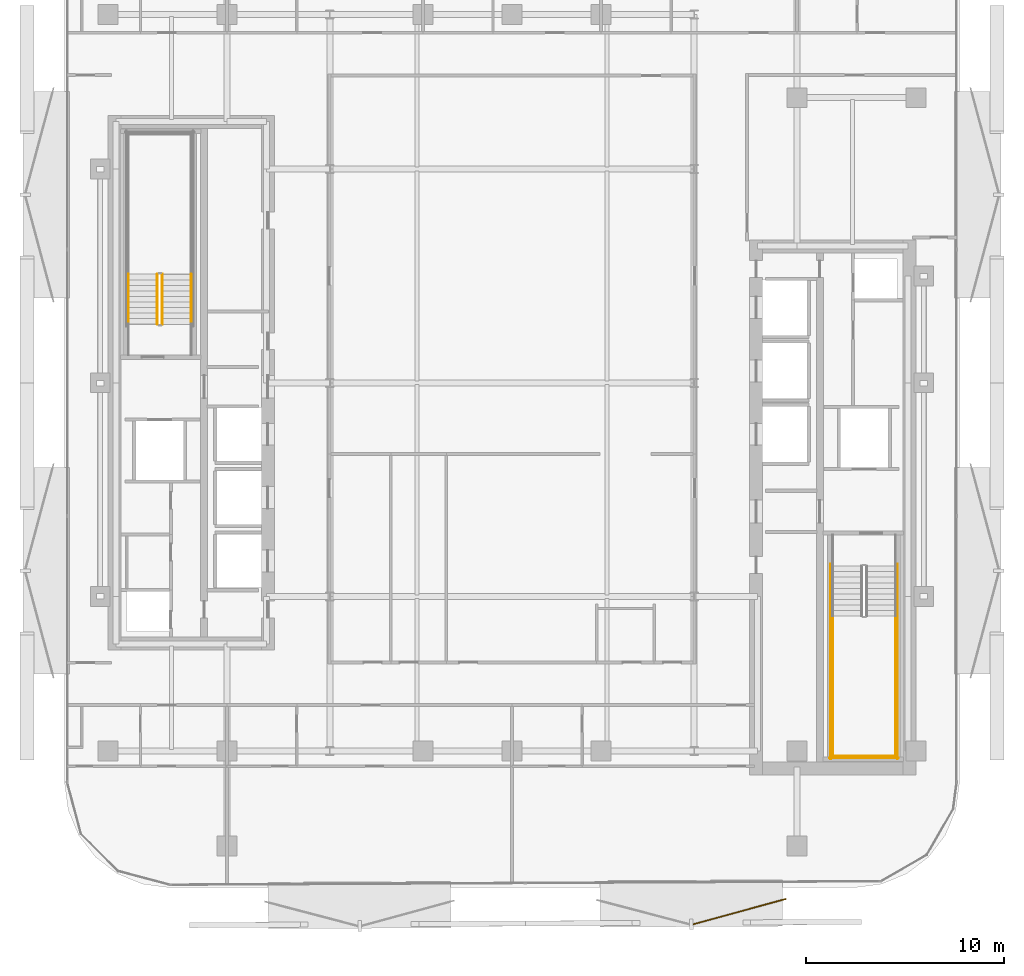
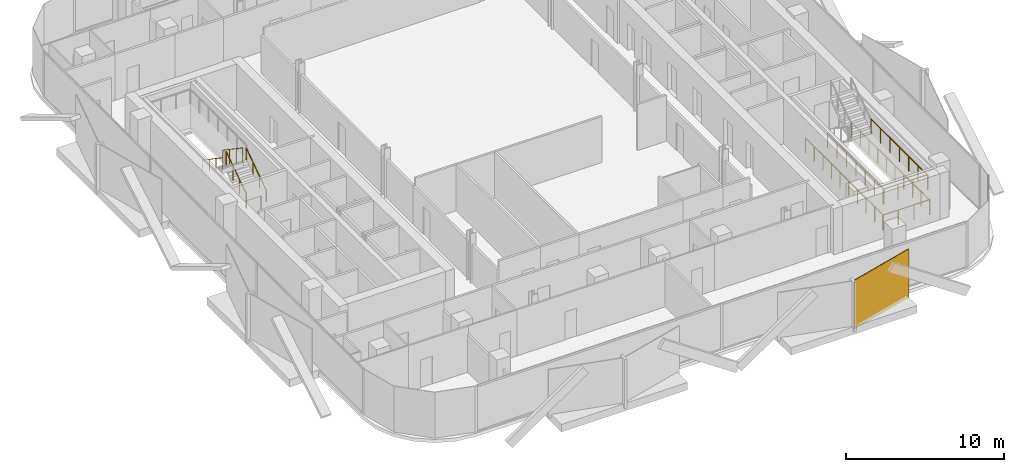
# One storey, part 14 of 17: 10 railings, 1 covering.
"""IFC4 building model written with IfcOpenShell, lengths in metres."""

from ifc_helpers import new_model, si_unit, direction, frame, origin, origin_2d, place, context, subcontext, project, spatial, rectangle, circle, extrude, material, layer, layer_set, type_object, element, save


model = new_model("IFC4")

# Units and contexts
model_context = context("Model", 3, precision=1e-05, world=origin(), true_north=direction((0.0, 1.0)))
body_context = subcontext(model_context, "Body", "Model", "MODEL_VIEW")
ifc_project = project(units=[si_unit("LENGTHUNIT", "METRE"), si_unit("AREAUNIT", "SQUARE_METRE"), si_unit("VOLUMEUNIT", "CUBIC_METRE"), si_unit("PLANEANGLEUNIT", "RADIAN"), si_unit("MASSUNIT", "GRAM", prefix="KILO")], contexts=[model_context])

# Site, building, storey
site_placement = place(None, origin())
site = spatial("IfcSite", under=ifc_project, at=site_placement, CompositionType="ELEMENT")
building_placement = place(site_placement, origin())
building = spatial("IfcBuilding", under=site, at=building_placement, Name="Khairoan Windgate Tower", CompositionType="ELEMENT")
storey_placement = place(building_placement, frame((0.0, 0.0, 172.60009765625)))
storey = spatial("IfcBuildingStorey", under=building, at=storey_placement, Name="L39", CompositionType="ELEMENT", Elevation=172.60009765625)

# Covering
ifc_material_1 = material(Name="Anodised Bronze Aluminium 6063-T6", Category="aluminium")
ifc_layer = layer(ifc_material_1, 0.054931640625, Name="Anodised Bronze Aluminium 6063-T6")
ifc_layer_set = layer_set([ifc_layer], Name="Anodised Bronze Aluminium 6063-T6")
covering_type = type_object("IfcCoveringType", Name="Perforated Bronze-Ceramic Folded Solar Screen Cladding BSC-1", PredefinedType="CLADDING", material=ifc_layer_set)
covering_placement = place(storey_placement, frame((11.498779296875, -26.708984375, -0.10009765625), z_axis=(0.0, 0.0, 1.0), x_axis=(-0.964649468762, -0.263536339841, 0.0)))
element("IfcCovering", 1, at=covering_placement, inside=storey, type_object=covering_type, Name="L39 Folded Bronze Solar Screen Facet 249L", PredefinedType="CLADDING", context=body_context, shape_type="SweptSolid", body=[
    extrude(rectangle(XDim=4.861083984375, YDim=0.054931640625, at=origin_2d()), origin(), (0.0, 0.0, 1.0), 3.739990234375),
])

# Railings
ifc_material_2 = material(Name="Anodised Bronze Aluminium 6063-T6", Category="aluminium")
railing_type_1 = type_object("IfcRailingType", Name="Stair Wall Handrail SHR-900", PredefinedType="HANDRAIL", material=ifc_material_2)
railing_1_placement = place(storey_placement, frame((-16.199951171875, 2.9599609375, 0.18994140625)))
element("IfcRailing", 2, at=railing_1_placement, inside=storey, type_object=railing_type_1, Name="L39 ST2 stair handrail 1", PredefinedType="HANDRAIL", context=body_context, shape_type="SweptSolid", body=[
    extrude(circle(Radius=0.02392578125, at=origin_2d()), frame((0.0, 0.0, 0.8759765625), z_axis=(0.0, 0.827483756001, 0.561489655786), x_axis=(-1.0, 0.0, 0.0)), (0.0, 0.0, 1.0), 3.04541015625),
    extrude(circle(Radius=0.02099609375, at=origin_2d()), origin(), (0.0, 0.0, 1.0), 0.851806640625),
    extrude(circle(Radius=0.02099609375, at=origin_2d()), frame((0.0, 0.840087890625, 0.570068359375)), (0.0, 0.0, 1.0), 0.851806640625),
    extrude(circle(Radius=0.02099609375, at=origin_2d()), frame((0.0, 1.679931640625, 1.139892578125)), (0.0, 0.0, 1.0), 0.851806640625),
    extrude(circle(Radius=0.02099609375, at=origin_2d()), frame((0.0, 2.52001953125, 1.7099609375)), (0.0, 0.0, 1.0), 0.851806640625),
])
railing_2_placement = place(storey_placement, frame((-19.3701171875, 5.47998046875, 2.08984375)))
element("IfcRailing", 3, at=railing_2_placement, inside=storey, type_object=railing_type_1, Name="L39 ST2 stair handrail 2", PredefinedType="HANDRAIL", context=body_context, shape_type="SweptSolid", body=[
    extrude(circle(Radius=0.02392578125, at=origin_2d()), frame((0.0, 0.0, 0.8759765625), z_axis=(0.0, -0.827483756001, 0.561489655786), x_axis=(1.0, 0.0, 0.0)), (0.0, 0.0, 1.0), 3.04541015625),
    extrude(circle(Radius=0.02099609375, at=origin_2d()), origin(), (0.0, 0.0, 1.0), 0.851806640625),
    extrude(circle(Radius=0.02099609375, at=origin_2d()), frame((0.0, -0.840087890625, 0.570068359375)), (0.0, 0.0, 1.0), 0.851806640625),
    extrude(circle(Radius=0.02099609375, at=origin_2d()), frame((0.0, -1.679931640625, 1.139892578125)), (0.0, 0.0, 1.0), 0.851806640625),
    extrude(circle(Radius=0.02099609375, at=origin_2d()), frame((0.0, -2.52001953125, 1.7099609375)), (0.0, 0.0, 1.0), 0.851806640625),
])
ifc_material_3 = material(Name="Steel S355", Category="steel")
railing_type_2 = type_object("IfcRailingType", Name="Stairwell Safety Guardrail SGR-1150", PredefinedType="GUARDRAIL", material=ifc_material_3)
for number, where, name in (
    (4, (16.199951171875, -11.780029296875, 1.89990234375), "L39 ST1 stair guard 3"),
    (5, (19.3701171875, -11.780029296875, 1.89990234375), "L39 ST1 stair guard 4"),
):
    element("IfcRailing", number, at=place(storey_placement, frame(where)), inside=storey, type_object=railing_type_2, Name=name, PredefinedType="GUARDRAIL", context=body_context, shape_type="SweptSolid", body=[
        extrude(circle(Radius=0.02392578125, at=origin_2d()), frame((0.0, 0.0, 1.1259765625), z_axis=(0.0, -1.0, 0.0), x_axis=(1.0, 0.0, 0.0)), (0.0, 0.0, 1.0), 7.119873046875),
        extrude(circle(Radius=0.02099609375, at=origin_2d()), origin(), (0.0, 0.0, 1.0), 1.101806640625),
        extrude(circle(Radius=0.02099609375, at=origin_2d()), frame((0.0, -1.1865234375, 0.0)), (0.0, 0.0, 1.0), 1.101806640625),
        extrude(circle(Radius=0.02099609375, at=origin_2d()), frame((0.0, -2.373291015625, 0.0)), (0.0, 0.0, 1.0), 1.101806640625),
        extrude(circle(Radius=0.02099609375, at=origin_2d()), frame((0.0, -3.56005859375, 0.0)), (0.0, 0.0, 1.0), 1.101806640625),
        extrude(circle(Radius=0.02099609375, at=origin_2d()), frame((0.0, -4.74658203125, 0.0)), (0.0, 0.0, 1.0), 1.101806640625),
        extrude(circle(Radius=0.02099609375, at=origin_2d()), frame((0.0, -5.93310546875, 0.0)), (0.0, 0.0, 1.0), 1.101806640625),
        extrude(circle(Radius=0.02099609375, at=origin_2d()), frame((0.0, -7.119873046875, 0.0)), (0.0, 0.0, 1.0), 1.101806640625),
    ])
railing_3_placement = place(storey_placement, frame((16.14990234375, -18.85009765625, 1.89990234375)))
element("IfcRailing", 6, at=railing_3_placement, inside=storey, type_object=railing_type_2, Name="L39 ST1 stair guard 5", PredefinedType="GUARDRAIL", context=body_context, shape_type="SweptSolid", body=[
    extrude(circle(Radius=0.02392578125, at=origin_2d()), frame((0.0, 0.0, 1.1259765625), z_axis=(1.0, 0.0, 0.0), x_axis=(0.0, 1.0, 0.0)), (0.0, 0.0, 1.0), 3.27001953125),
    extrude(circle(Radius=0.02099609375, at=origin_2d()), origin(), (0.0, 0.0, 1.0), 1.101806640625),
    extrude(circle(Radius=0.02099609375, at=origin_2d()), frame((1.090087890625, 0.0, 0.0)), (0.0, 0.0, 1.0), 1.101806640625),
    extrude(circle(Radius=0.02099609375, at=origin_2d()), frame((2.179931640625, 0.0, 0.0)), (0.0, 0.0, 1.0), 1.101806640625),
    extrude(circle(Radius=0.02099609375, at=origin_2d()), frame((3.27001953125, 0.0, 0.0)), (0.0, 0.0, 1.0), 1.101806640625),
])
for number, where, name in (
    (7, (16.10009765625, -9.159912109375, 0.0), "L39 ST1 stair guard 10"),
    (8, (19.469970703125, -9.159912109375, 0.0), "L39 ST1 stair guard 11"),
):
    element("IfcRailing", number, at=place(storey_placement, frame(where)), inside=storey, type_object=railing_type_2, Name=name, PredefinedType="GUARDRAIL", context=body_context, shape_type="SweptSolid", body=[
        extrude(circle(Radius=0.02392578125, at=origin_2d()), frame((0.0, 0.0, 1.1259765625), z_axis=(0.0, -1.0, 0.0), x_axis=(1.0, 0.0, 0.0)), (0.0, 0.0, 1.0), 9.840087890625),
        extrude(circle(Radius=0.02099609375, at=origin_2d()), origin(), (0.0, 0.0, 1.0), 1.101806640625),
        extrude(circle(Radius=0.02099609375, at=origin_2d()), frame((0.0, -1.09326171875, 0.0)), (0.0, 0.0, 1.0), 1.101806640625),
        extrude(circle(Radius=0.02099609375, at=origin_2d()), frame((0.0, -2.186767578125, 0.0)), (0.0, 0.0, 1.0), 1.101806640625),
        extrude(circle(Radius=0.02099609375, at=origin_2d()), frame((0.0, -3.280029296875, 0.0)), (0.0, 0.0, 1.0), 1.101806640625),
        extrude(circle(Radius=0.02099609375, at=origin_2d()), frame((0.0, -4.373291015625, 0.0)), (0.0, 0.0, 1.0), 1.101806640625),
        extrude(circle(Radius=0.02099609375, at=origin_2d()), frame((0.0, -5.466796875, 0.0)), (0.0, 0.0, 1.0), 1.101806640625),
        extrude(circle(Radius=0.02099609375, at=origin_2d()), frame((0.0, -6.56005859375, 0.0)), (0.0, 0.0, 1.0), 1.101806640625),
        extrude(circle(Radius=0.02099609375, at=origin_2d()), frame((0.0, -7.6533203125, 0.0)), (0.0, 0.0, 1.0), 1.101806640625),
        extrude(circle(Radius=0.02099609375, at=origin_2d()), frame((0.0, -8.746826171875, 0.0)), (0.0, 0.0, 1.0), 1.101806640625),
        extrude(circle(Radius=0.02099609375, at=origin_2d()), frame((0.0, -9.840087890625, 0.0)), (0.0, 0.0, 1.0), 1.101806640625),
    ])
railing_4_placement = place(storey_placement, frame((16.050048828125, -18.949951171875, 0.0)))
element("IfcRailing", 9, at=railing_4_placement, inside=storey, type_object=railing_type_2, Name="L39 ST1 stair guard 12", PredefinedType="GUARDRAIL", context=body_context, shape_type="SweptSolid", body=[
    extrude(circle(Radius=0.02392578125, at=origin_2d()), frame((0.0, 0.0, 1.1259765625), z_axis=(1.0, 0.0, 0.0), x_axis=(0.0, 1.0, 0.0)), (0.0, 0.0, 1.0), 3.469970703125),
    extrude(circle(Radius=0.02099609375, at=origin_2d()), origin(), (0.0, 0.0, 1.0), 1.101806640625),
    extrude(circle(Radius=0.02099609375, at=origin_2d()), frame((1.15673828125, 0.0, 0.0)), (0.0, 0.0, 1.0), 1.101806640625),
    extrude(circle(Radius=0.02099609375, at=origin_2d()), frame((2.313232421875, 0.0, 0.0)), (0.0, 0.0, 1.0), 1.101806640625),
    extrude(circle(Radius=0.02099609375, at=origin_2d()), frame((3.469970703125, 0.0, 0.0)), (0.0, 0.0, 1.0), 1.101806640625),
])
railing_5_placement = place(storey_placement, frame((-17.659912109375, 2.9599609375, 0.18994140625)))
element("IfcRailing", 10, at=railing_5_placement, inside=storey, type_object=railing_type_2, Name="L39 ST2 stair guard 1", PredefinedType="GUARDRAIL", context=body_context, shape_type="SweptSolid", body=[
    extrude(circle(Radius=0.02392578125, at=origin_2d()), frame((0.0, 0.0, 1.1259765625), z_axis=(0.0, 0.827483756001, 0.561489655786), x_axis=(-1.0, 0.0, 0.0)), (0.0, 0.0, 1.0), 3.04541015625),
    extrude(circle(Radius=0.02099609375, at=origin_2d()), origin(), (0.0, 0.0, 1.0), 1.101806640625),
    extrude(circle(Radius=0.02099609375, at=origin_2d()), frame((0.0, 0.840087890625, 0.570068359375)), (0.0, 0.0, 1.0), 1.101806640625),
    extrude(circle(Radius=0.02099609375, at=origin_2d()), frame((0.0, 1.679931640625, 1.139892578125)), (0.0, 0.0, 1.0), 1.101806640625),
    extrude(circle(Radius=0.02099609375, at=origin_2d()), frame((0.0, 2.52001953125, 1.7099609375)), (0.0, 0.0, 1.0), 1.101806640625),
])
railing_6_placement = place(storey_placement, frame((-17.909912109375, 5.47998046875, 2.08984375)))
element("IfcRailing", 11, at=railing_6_placement, inside=storey, type_object=railing_type_2, Name="L39 ST2 stair guard 6", PredefinedType="GUARDRAIL", context=body_context, shape_type="SweptSolid", body=[
    extrude(circle(Radius=0.02392578125, at=origin_2d()), frame((0.0, 0.0, 1.1259765625), z_axis=(0.0, -0.827483756001, 0.561489655786), x_axis=(1.0, 0.0, 0.0)), (0.0, 0.0, 1.0), 3.04541015625),
    extrude(circle(Radius=0.02099609375, at=origin_2d()), origin(), (0.0, 0.0, 1.0), 1.101806640625),
    extrude(circle(Radius=0.02099609375, at=origin_2d()), frame((0.0, -0.840087890625, 0.570068359375)), (0.0, 0.0, 1.0), 1.101806640625),
    extrude(circle(Radius=0.02099609375, at=origin_2d()), frame((0.0, -1.679931640625, 1.139892578125)), (0.0, 0.0, 1.0), 1.101806640625),
    extrude(circle(Radius=0.02099609375, at=origin_2d()), frame((0.0, -2.52001953125, 1.7099609375)), (0.0, 0.0, 1.0), 1.101806640625),
])

save(model, "model.ifc")
